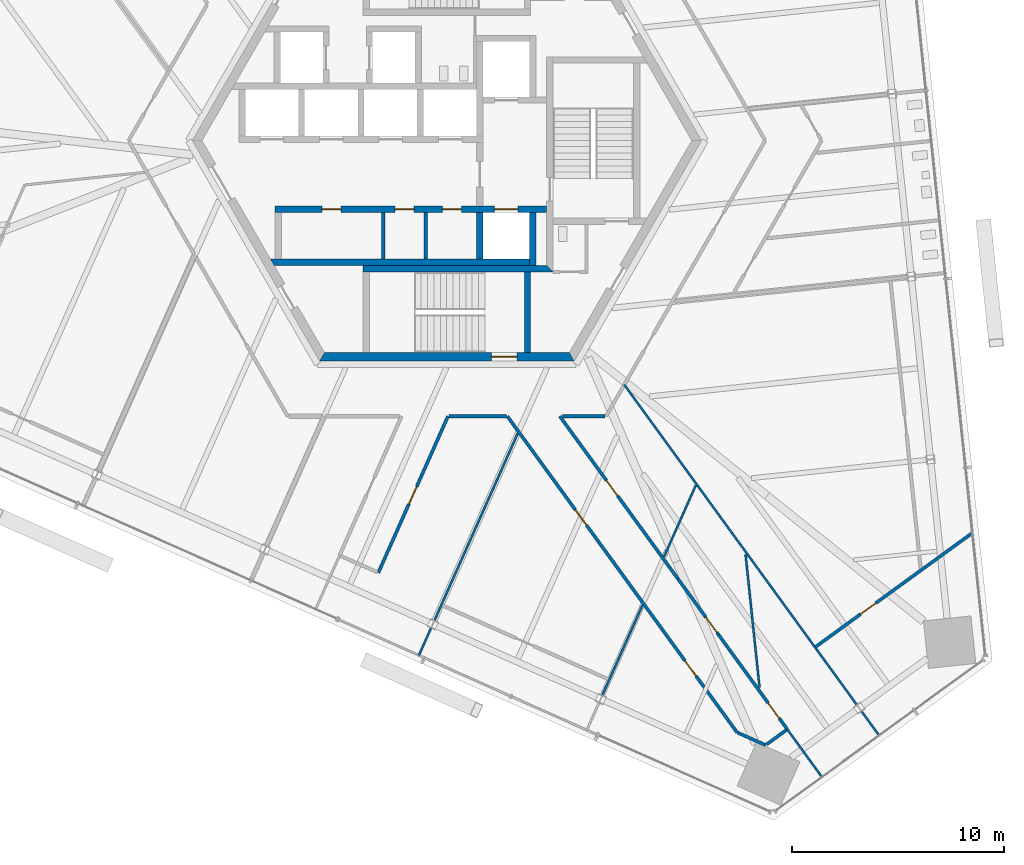
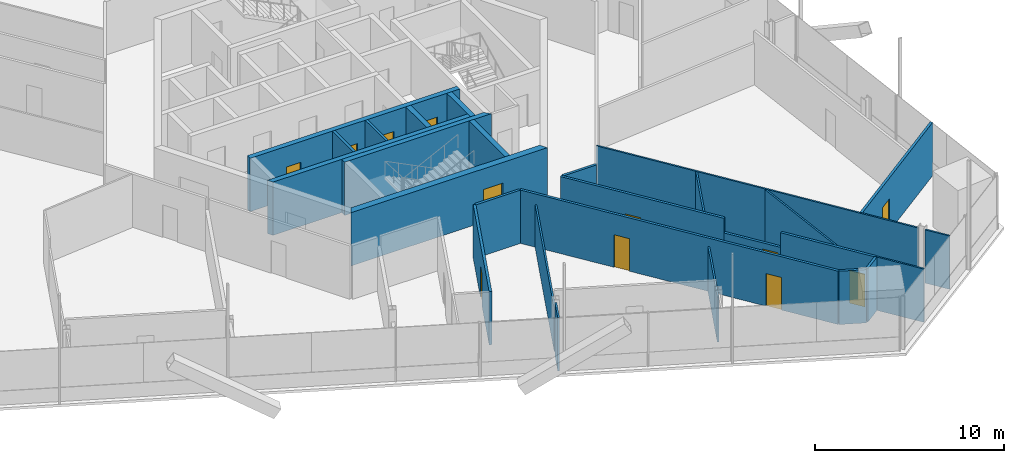
# One storey, part 11 of 21: 27 walls, 12 doors, 12 openings.
"""IFC4 building model written with IfcOpenShell, lengths in metres."""

from ifc_helpers import new_model, si_unit, direction, frame, frame_2d, origin, place, context, subcontext, project, spatial, polyline, rectangle, outline, extrude, source, transform, mapped, material, layer, layer_set, type_object, element, fill, save


model = new_model("IFC4")

# Units and contexts
model_context = context("Model", 3, precision=1e-05, world=origin(), true_north=direction((0.0, 1.0)))
body_context = subcontext(model_context, "Body", "Model", "MODEL_VIEW")
ifc_project = project(units=[si_unit("LENGTHUNIT", "METRE"), si_unit("AREAUNIT", "SQUARE_METRE"), si_unit("VOLUMEUNIT", "CUBIC_METRE"), si_unit("PLANEANGLEUNIT", "RADIAN"), si_unit("MASSUNIT", "GRAM", prefix="KILO")], contexts=[model_context])

# Site, building, storey
site_placement = place(None, origin())
site = spatial("IfcSite", under=ifc_project, at=site_placement, CompositionType="ELEMENT")
building_placement = place(site_placement, origin())
building = spatial("IfcBuilding", under=site, at=building_placement, Name="Triune Harvest Tower", CompositionType="ELEMENT")
storey_placement = place(building_placement, frame((0.0, 0.0, 80.10009765625)))
storey = spatial("IfcBuildingStorey", under=building, at=storey_placement, Name="L19", CompositionType="ELEMENT", Elevation=80.10009765625)

# Walls
ifc_material_1 = material(Name="Gypsum board on steel studs", Category="steel")
ifc_layer_1 = layer(ifc_material_1, 0.10009765625)
ifc_layer_set_1 = layer_set([ifc_layer_1], Name="Gypsum board on steel studs")
wall_type_1 = type_object("IfcWallType", Name="Partition 100 mm", PredefinedType="PARTITIONING", material=ifc_layer_set_1)
wall_1_placement = place(storey_placement, frame((7.323486328125, -26.144775390625, 0.0), z_axis=(0.0, 0.0, 1.0), x_axis=(0.406780377574, 0.913525984535, 0.0)))
element("IfcWall", 1, at=wall_1_placement, inside=storey, type_object=wall_type_1, Name="Partition L19 047", PredefinedType="PARTITIONING", context=body_context, shape_type="SweptSolid", body=[
    extrude(rectangle(XDim=4.657470703125, YDim=0.10009765625, at=frame_2d((2.32861328125, 0.0))), origin(), (0.0, 0.0, 1.0), 2.90380859375),
])
wall_2_placement = place(storey_placement, frame((-0.58984375, -22.62158203125, 0.0), z_axis=(0.0, 0.0, 1.0), x_axis=(0.406748136675, 0.913540340276, 0.0)))
element("IfcWall", 2, at=wall_2_placement, inside=storey, type_object=wall_type_1, Name="Partition L19 050", PredefinedType="PARTITIONING", context=body_context, shape_type="SweptSolid", body=[
    extrude(rectangle(XDim=9.658935546875, YDim=0.10009765625, at=frame_2d((4.82958984375, 0.0))), origin(), (0.0, 0.0, 1.0), 2.756591796875),
])

# Wall, opening, door
ifc_material_2 = material(Name="Concrete 70 MPa", Category="concrete")
ifc_layer_2 = layer(ifc_material_2, 0.39990234375)
ifc_layer_set_2 = layer_set([ifc_layer_2], Name="Concrete 70 MPa")
wall_type_2 = type_object("IfcWallType", Name="Core wall 400", PredefinedType="SHEAR", material=ifc_layer_set_2)
shared_shape_1 = source(origin(), body_context, "Body", "SweptSolid", [
    extrude(outline(polyline([(-0.115478515625, -0.199951171875), (11.884521484375, -0.199951171875), (11.653564453125, 0.199951171875), (0.115478515625, 0.199951171875), (-0.115478515625, -0.199951171875)])), origin(), (0.0, 0.0, 1.0), 3.43994140625),
])
wall_3_placement = place(storey_placement, frame((-5.884521484375, -10.1923828125, 0.0), z_axis=(0.0, 0.0, 1.0), x_axis=(1.0, 0.0, 0.0)))
wall_3 = element("IfcWall", 3, at=wall_3_placement, inside=storey, type_object=wall_type_2, Name="Hexagon 4 wall", PredefinedType="SHEAR", context=body_context, shape_type="MappedRepresentation", body=[
    mapped(shared_shape_1, transform((0.0, 0.0, 0.0), scale=1.0)),
])
opening_1_placement = place(wall_3_placement, frame((7.984619140625, 0.0, 0.0)))
opening_1 = element("IfcOpeningElement", 4, at=opening_1_placement, cuts=wall_3, Name="Opening CD-S2P", PredefinedType="OPENING", context=body_context, shape_type="SweptSolid", body=[
    extrude(rectangle(XDim=1.199951171875, YDim=2.10009765625, at=frame_2d((0.60009765625, 1.050048828125))), frame((0.0, 0.2099609375, 0.0), z_axis=(0.0, -1.0, 0.0), x_axis=(1.0, 0.0, 0.0)), (0.0, 0.0, 1.0), 0.419921875),
])
ifc_material_3 = material(Name="Steel S235", Category="steel")
door_type_1 = type_object("IfcDoorType", Name="Stair door 1200 FD120", OperationType="SINGLE_SWING_LEFT", PredefinedType="DOOR", material=ifc_material_3)
door_1_placement = place(opening_1_placement, frame((1.199951171875, 0.0, 0.0), z_axis=(0.0, 0.0, 1.0), x_axis=(-1.0, 0.0, 0.0)))
door_1 = element("IfcDoor", 5, at=door_1_placement, inside=storey, type_object=door_type_1, Name="Door CD-S2P", OperationType="SINGLE_SWING_RIGHT", OverallHeight=2.10009765625, OverallWidth=1.199951171875, PredefinedType="DOOR", context=body_context, shape_type="SweptSolid", body=[
    extrude(rectangle(XDim=1.199951171875, YDim=2.10009765625, at=frame_2d((0.60009765625, 1.050048828125))), frame((0.0, 0.02490234375, 0.0), z_axis=(0.0, -1.0, 0.0), x_axis=(1.0, 0.0, 0.0)), (0.0, 0.0, 1.0), 0.050048828125),
])
fill(opening_1, door_1)

# Wall
ifc_material_4 = material(Name="Concrete 70 MPa", Category="concrete")
ifc_layer_3 = layer(ifc_material_4, 0.300048828125)
ifc_layer_set_3 = layer_set([ifc_layer_3], Name="Concrete 70 MPa")
wall_type_3 = type_object("IfcWallType", Name="Core wall 300", PredefinedType="SHEAR", material=ifc_layer_set_3)
shared_shape_2 = source(origin(), body_context, "Body", "SweptSolid", [
    extrude(rectangle(XDim=2.5, YDim=0.300048828125, at=frame_2d((1.25, 0.0))), origin(), (0.0, 0.0, 1.0), 3.43994140625),
])
wall_4_placement = place(storey_placement, frame((4.050048828125, -5.889892578125, 0.0), z_axis=(0.0, 0.0, 1.0), x_axis=(0.0, 1.0, 0.0)))
element("IfcWall", 6, at=wall_4_placement, inside=storey, type_object=wall_type_3, Name="Ff2 east wall", PredefinedType="SHEAR", context=body_context, shape_type="MappedRepresentation", body=[
    mapped(shared_shape_2, transform((0.0, 0.0, 0.0), scale=1.0)),
])

# Wall, openings, doors
shared_shape_3 = source(origin(), body_context, "Body", "SweptSolid", [
    extrude(rectangle(XDim=12.800048828125, YDim=0.300048828125, at=frame_2d((6.39990234375, 0.0))), origin(), (0.0, 0.0, 1.0), 3.43994140625),
])
wall_5_placement = place(storey_placement, frame((-8.10009765625, -3.239990234375, 0.0), z_axis=(0.0, 0.0, 1.0), x_axis=(1.0, 0.0, 0.0)))
wall_5 = element("IfcWall", 7, at=wall_5_placement, inside=storey, type_object=wall_type_3, Name="South front wall", PredefinedType="SHEAR", context=body_context, shape_type="MappedRepresentation", body=[
    mapped(shared_shape_3, transform((0.0, 0.0, 0.0), scale=1.0)),
])
opening_2_placement = place(wall_5_placement, frame((2.21240234375, 0.0, 0.0)))
opening_2 = element("IfcOpeningElement", 8, at=opening_2_placement, cuts=wall_5, Name="Opening CD-RS1", PredefinedType="OPENING", context=body_context, shape_type="SweptSolid", body=[
    extrude(rectangle(XDim=0.89990234375, YDim=2.10009765625, at=frame_2d((0.449951171875, 1.050048828125))), frame((0.0, 0.16015625, 0.0), z_axis=(0.0, -1.0, 0.0), x_axis=(1.0, 0.0, 0.0)), (0.0, 0.0, 1.0), 0.320068359375),
])
opening_3_placement = place(wall_5_placement, frame((5.64990234375, 0.0, 0.0)))
opening_3 = element("IfcOpeningElement", 9, at=opening_3_placement, cuts=wall_5, Name="Opening CD-RS2", PredefinedType="OPENING", context=body_context, shape_type="SweptSolid", body=[
    extrude(rectangle(XDim=0.89990234375, YDim=2.10009765625, at=frame_2d((0.449951171875, 1.050048828125))), frame((0.0, 0.16015625, 0.0), z_axis=(0.0, -1.0, 0.0), x_axis=(1.0, 0.0, 0.0)), (0.0, 0.0, 1.0), 0.320068359375),
])
opening_4_placement = place(wall_5_placement, frame((7.887451171875, 0.0, 0.0)))
opening_4 = element("IfcOpeningElement", 10, at=opening_4_placement, cuts=wall_5, Name="Opening CD-RS3", PredefinedType="OPENING", context=body_context, shape_type="SweptSolid", body=[
    extrude(rectangle(XDim=0.89990234375, YDim=2.10009765625, at=frame_2d((0.449951171875, 1.050048828125))), frame((0.0, 0.16015625, 0.0), z_axis=(0.0, -1.0, 0.0), x_axis=(1.0, 0.0, 0.0)), (0.0, 0.0, 1.0), 0.320068359375),
])
opening_5_placement = place(wall_5_placement, frame((10.35009765625, 0.0, 0.0)))
opening_5 = element("IfcOpeningElement", 11, at=opening_5_placement, cuts=wall_5, Name="Opening LD-FF2-19", PredefinedType="OPENING", context=body_context, shape_type="SweptSolid", body=[
    extrude(rectangle(XDim=1.10009765625, YDim=2.10009765625, at=frame_2d((0.550048828125, 1.050048828125))), frame((0.0, 0.16015625, 0.0), z_axis=(0.0, -1.0, 0.0), x_axis=(1.0, 0.0, 0.0)), (0.0, 0.0, 1.0), 0.320068359375),
])
ifc_material_5 = material(Name="Stainless steel AISI 304", Category="steel")
door_type_2 = type_object("IfcDoorType", Name="Landing door 1100 x 2100", OperationType="DOUBLE_DOOR_SLIDING", PredefinedType="DOOR", material=ifc_material_5)
door_2_placement = place(opening_5_placement, origin())
door_2 = element("IfcDoor", 12, at=door_2_placement, inside=storey, type_object=door_type_2, Name="Door LD-FF2-19", OperationType="DOUBLE_DOOR_SLIDING", OverallHeight=2.10009765625, OverallWidth=1.10009765625, PredefinedType="DOOR", context=body_context, shape_type="SweptSolid", body=[
    extrude(rectangle(XDim=1.10009765625, YDim=2.10009765625, at=frame_2d((0.550048828125, 1.050048828125))), frame((0.0, 0.02490234375, 0.0), z_axis=(0.0, -1.0, 0.0), x_axis=(1.0, 0.0, 0.0)), (0.0, 0.0, 1.0), 0.050048828125),
])
fill(opening_5, door_2)
ifc_material_6 = material(Name="Steel S235", Category="steel")
door_type_3 = type_object("IfcDoorType", Name="Riser door 900 FD120", OperationType="SINGLE_SWING_LEFT", PredefinedType="DOOR", material=ifc_material_6)
door_3_placement = place(opening_2_placement, origin())
door_3 = element("IfcDoor", 13, at=door_3_placement, inside=storey, type_object=door_type_3, Name="Door CD-RS1", OperationType="SINGLE_SWING_LEFT", OverallHeight=2.10009765625, OverallWidth=0.89990234375, PredefinedType="DOOR", context=body_context, shape_type="SweptSolid", body=[
    extrude(rectangle(XDim=0.89990234375, YDim=2.10009765625, at=frame_2d((0.449951171875, 1.050048828125))), frame((0.0, 0.02490234375, 0.0), z_axis=(0.0, -1.0, 0.0), x_axis=(1.0, 0.0, 0.0)), (0.0, 0.0, 1.0), 0.050048828125),
])
fill(opening_2, door_3)
door_4_placement = place(opening_3_placement, origin())
door_4 = element("IfcDoor", 14, at=door_4_placement, inside=storey, type_object=door_type_3, Name="Door CD-RS2", OperationType="SINGLE_SWING_LEFT", OverallHeight=2.10009765625, OverallWidth=0.89990234375, PredefinedType="DOOR", context=body_context, shape_type="SweptSolid", body=[
    extrude(rectangle(XDim=0.89990234375, YDim=2.10009765625, at=frame_2d((0.449951171875, 1.050048828125))), frame((0.0, 0.02490234375, 0.0), z_axis=(0.0, -1.0, 0.0), x_axis=(1.0, 0.0, 0.0)), (0.0, 0.0, 1.0), 0.050048828125),
])
fill(opening_3, door_4)
door_5_placement = place(opening_4_placement, origin())
door_5 = element("IfcDoor", 15, at=door_5_placement, inside=storey, type_object=door_type_3, Name="Door CD-RS3", OperationType="SINGLE_SWING_LEFT", OverallHeight=2.10009765625, OverallWidth=0.89990234375, PredefinedType="DOOR", context=body_context, shape_type="SweptSolid", body=[
    extrude(rectangle(XDim=0.89990234375, YDim=2.10009765625, at=frame_2d((0.449951171875, 1.050048828125))), frame((0.0, 0.02490234375, 0.0), z_axis=(0.0, -1.0, 0.0), x_axis=(1.0, 0.0, 0.0)), (0.0, 0.0, 1.0), 0.050048828125),
])
fill(opening_4, door_5)

# Walls
shared_shape_4 = source(origin(), body_context, "Body", "SweptSolid", [
    extrude(outline(polyline([(12.0, -0.14990234375), (-0.039794921875, -0.14990234375), (-0.212890625, 0.14990234375), (12.0, 0.14990234375), (12.0, -0.14990234375)])), origin(), (0.0, 0.0, 1.0), 3.43994140625),
])
wall_6_placement = place(storey_placement, frame((-8.10009765625, -5.739990234375, 0.0), z_axis=(0.0, 0.0, 1.0), x_axis=(1.0, 0.0, 0.0)))
element("IfcWall", 16, at=wall_6_placement, inside=storey, type_object=wall_type_3, Name="South back wall", PredefinedType="SHEAR", context=body_context, shape_type="MappedRepresentation", body=[
    mapped(shared_shape_4, transform((0.0, 0.0, 0.0), scale=1.0)),
])
shared_shape_5 = source(origin(), body_context, "Body", "SweptSolid", [
    extrude(rectangle(XDim=2.2001953125, YDim=0.300048828125, at=frame_2d((1.10009765625, 0.0))), origin(), (0.0, 0.0, 1.0), 3.43994140625),
])
wall_7_placement = place(storey_placement, frame((1.550048828125, -5.590087890625, 0.0), z_axis=(0.0, 0.0, 1.0), x_axis=(0.0, 1.0, 0.0)))
element("IfcWall", 17, at=wall_7_placement, inside=storey, type_object=wall_type_3, Name="Ff2 west wall", PredefinedType="SHEAR", context=body_context, shape_type="MappedRepresentation", body=[
    mapped(shared_shape_5, transform((0.0, 0.0, 0.0), scale=1.0)),
])
shared_shape_6 = source(origin(), body_context, "Body", "SweptSolid", [
    extrude(outline(polyline([(0.0, -0.14990234375), (8.949951171875, -0.14990234375), (8.64990234375, 0.14990234375), (0.0, 0.14990234375), (0.0, -0.14990234375)])), origin(), (0.0, 0.0, 1.0), 3.43994140625),
])
wall_8_placement = place(storey_placement, frame((-3.949951171875, -6.0400390625, 0.0), z_axis=(0.0, 0.0, 1.0), x_axis=(1.0, 0.0, 0.0)))
element("IfcWall", 18, at=wall_8_placement, inside=storey, type_object=wall_type_3, Name="Stair s north wall", PredefinedType="SHEAR", context=body_context, shape_type="MappedRepresentation", body=[
    mapped(shared_shape_6, transform((0.0, 0.0, 0.0), scale=1.0)),
])
shared_shape_7 = source(origin(), body_context, "Body", "SweptSolid", [
    extrude(outline(polyline([(3.800048828125, -0.14990234375), (-0.00439453125, -0.14990234375), (-0.00439453125, 0.14990234375), (3.800048828125, 0.14990234375), (3.800048828125, -0.14990234375)])), origin(), (0.0, 0.0, 1.0), 3.43994140625),
])
wall_9_placement = place(storey_placement, frame((3.800048828125, -9.989990234375, 0.0), z_axis=(0.0, 0.0, 1.0), x_axis=(0.0, 1.0, 0.0)))
element("IfcWall", 19, at=wall_9_placement, inside=storey, type_object=wall_type_3, Name="Stair s east wall", PredefinedType="SHEAR", context=body_context, shape_type="MappedRepresentation", body=[
    mapped(shared_shape_7, transform((0.0, 0.0, 0.0), scale=1.0)),
])
ifc_material_7 = material(Name="Concrete masonry unit", Category="masonry")
ifc_layer_4 = layer(ifc_material_7, 0.14990234375)
ifc_layer_set_4 = layer_set([ifc_layer_4], Name="Concrete masonry unit")
wall_type_4 = type_object("IfcWallType", Name="Block partition 150", PredefinedType="PARTITIONING", material=ifc_layer_set_4)
shared_shape_8 = source(origin(), body_context, "Body", "SweptSolid", [
    extrude(rectangle(XDim=2.2001953125, YDim=0.14990234375, at=frame_2d((1.10009765625, 0.0))), origin(), (0.0, 0.0, 1.0), 3.43994140625),
])
for number, where, z_axis, x_axis, name in (
    (20, (-3.0, -5.590087890625, 0.0), (0.0, 0.0, 1.0), (0.0, 1.0, 0.0), "Row s part 1 wall"),
    (21, (-1.0, -5.590087890625, 0.0), (0.0, 0.0, 1.0), (0.0, 1.0, 0.0), "Row s part 2 wall"),
):
    element("IfcWall", number, at=place(storey_placement, frame(where, z_axis=z_axis, x_axis=x_axis)), inside=storey, type_object=wall_type_4, Name=name, PredefinedType="PARTITIONING", context=body_context, shape_type="MappedRepresentation", body=[
        mapped(shared_shape_8, transform((0.0, 0.0, 0.0), scale=1.0)),
    ])
shared_shape_9 = source(origin(), body_context, "Body", "SweptSolid", [
    extrude(rectangle(XDim=1.41845703125, YDim=0.10009765625, at=frame_2d((0.709228515625, 0.0))), origin(), (0.0, 0.0, 1.0), 3.43994140625),
])
for number, where, z_axis, x_axis, name in (
    (22, (19.536865234375, -26.890380859375, 0.0), (0.0, 0.0, 1.0), (0.587813429905, -0.808996521392, 0.0), "Partition L19 020"),
    (23, (-1.318603515625, -24.2587890625, 0.0), (0.0, 0.0, 1.0), (0.406697305895, 0.913562970669, 0.0), "Partition L19 049"),
):
    element("IfcWall", number, at=place(storey_placement, frame(where, z_axis=z_axis, x_axis=x_axis)), inside=storey, type_object=wall_type_1, Name=name, PredefinedType="PARTITIONING", context=body_context, shape_type="MappedRepresentation", body=[
        mapped(shared_shape_9, transform((0.0, 0.0, 0.0), scale=1.0)),
    ])
shared_shape_10 = source(origin(), body_context, "Body", "SweptSolid", [
    extrude(rectangle(XDim=6.312255859375, YDim=0.10009765625, at=frame_2d((3.15625, 0.0))), origin(), (0.0, 0.0, 1.0), 3.43994140625),
])
wall_10_placement = place(storey_placement, frame((14.07421875, -19.4990234375, 0.0), z_axis=(0.0, 0.0, 1.0), x_axis=(0.104507606419, -0.99452408729, 0.0)))
element("IfcWall", 24, at=wall_10_placement, inside=storey, type_object=wall_type_1, Name="Partition L19 001", PredefinedType="PARTITIONING", context=body_context, shape_type="MappedRepresentation", body=[
    mapped(shared_shape_10, transform((0.0, 0.0, 0.0), scale=1.0)),
])
ifc_material_8 = material(Name="Gypsum board on steel studs", Category="steel")
ifc_layer_5 = layer(ifc_material_8, 0.14990234375)
ifc_layer_set_5 = layer_set([ifc_layer_5], Name="Gypsum board on steel studs")
wall_type_5 = type_object("IfcWallType", Name="Fire Partition 150 mm", PredefinedType="PARTITIONING", material=ifc_layer_set_5)
shared_shape_11 = source(origin(), body_context, "Body", "SweptSolid", [
    extrude(rectangle(XDim=2.00927734375, YDim=0.14990234375, at=frame_2d((1.004638671875, 0.0))), origin(), (0.0, 0.0, 1.0), 3.43994140625),
])
wall_11_placement = place(storey_placement, frame((5.44189453125, -12.9921875, 0.0), z_axis=(0.0, 0.0, 1.0), x_axis=(1.0, 0.0, 0.0)))
element("IfcWall", 25, at=wall_11_placement, inside=storey, type_object=wall_type_5, Name="Partition L19 029", PredefinedType="PARTITIONING", context=body_context, shape_type="MappedRepresentation", body=[
    mapped(shared_shape_11, transform((0.0, 0.0, 0.0), scale=1.0)),
])

# Wall, opening, door
shared_shape_12 = source(origin(), body_context, "Body", "SweptSolid", [
    extrude(rectangle(XDim=8.0693359375, YDim=0.14990234375, at=frame_2d((4.03466796875, 0.0))), origin(), (0.0, 0.0, 1.0), 3.43994140625),
])
wall_12_placement = place(storey_placement, frame((-3.23095703125, -20.364013671875, 0.0), z_axis=(0.0, 0.0, 1.0), x_axis=(0.406719469234, 0.913553103736, 0.0)))
wall_12 = element("IfcWall", 26, at=wall_12_placement, inside=storey, type_object=wall_type_5, Name="Partition L19 051", PredefinedType="PARTITIONING", context=body_context, shape_type="MappedRepresentation", body=[
    mapped(shared_shape_12, transform((0.0, 0.0, 0.0), scale=1.0)),
])
opening_6_placement = place(wall_12_placement, frame((3.549072265625, 0.0, 0.0)))
opening_6 = element("IfcOpeningElement", 27, at=opening_6_placement, cuts=wall_12, Name="Opening L19-019", PredefinedType="OPENING", context=body_context, shape_type="SweptSolid", body=[
    extrude(rectangle(XDim=0.89990234375, YDim=2.10009765625, at=frame_2d((0.449951171875, 1.050048828125))), frame((0.0, 0.0849609375, 0.0), z_axis=(0.0, -1.0, 0.0), x_axis=(1.0, 0.0, 0.0)), (0.0, 0.0, 1.0), 0.169921875),
])
ifc_material_9 = material(Name="Timber and steel door set", Category="steel")
door_type_4 = type_object("IfcDoorType", Name="Single leaf door FD30 right hand 900 x 2100", OperationType="SINGLE_SWING_RIGHT", PredefinedType="DOOR", material=ifc_material_9)
door_6_placement = place(opening_6_placement, origin())
door_6 = element("IfcDoor", 28, at=door_6_placement, inside=storey, type_object=door_type_4, Name="Door L19-019 Meeting Room 19.19", OperationType="SINGLE_SWING_RIGHT", OverallHeight=2.10009765625, OverallWidth=0.89990234375, PredefinedType="DOOR", context=body_context, shape_type="SweptSolid", body=[
    extrude(rectangle(XDim=0.89990234375, YDim=2.10009765625, at=frame_2d((0.449951171875, 1.050048828125))), frame((0.0, 0.02490234375, 0.0), z_axis=(0.0, -1.0, 0.0), x_axis=(1.0, 0.0, 0.0)), (0.0, 0.0, 1.0), 0.050048828125),
])
fill(opening_6, door_6)

# Wall, openings, doors
shared_shape_13 = source(origin(), body_context, "Body", "SweptSolid", [
    extrude(rectangle(XDim=18.41552734375, YDim=0.14990234375, at=frame_2d((9.207763671875, 0.0))), origin(), (0.0, 0.0, 1.0), 3.43994140625),
])
wall_13_placement = place(storey_placement, frame((2.849853515625, -12.9921875, 0.0), z_axis=(0.0, 0.0, 1.0), x_axis=(0.587780642762, -0.809020343375, 0.0)))
wall_13 = element("IfcWall", 29, at=wall_13_placement, inside=storey, type_object=wall_type_5, Name="Partition L19 012", PredefinedType="PARTITIONING", context=body_context, shape_type="MappedRepresentation", body=[
    mapped(shared_shape_13, transform((0.0, 0.0, 0.0), scale=1.0)),
])
opening_7_placement = place(wall_13_placement, frame((5.444091796875, 0.0, 0.0)))
opening_7 = element("IfcOpeningElement", 30, at=opening_7_placement, cuts=wall_13, Name="Opening L19-020", PredefinedType="OPENING", context=body_context, shape_type="SweptSolid", body=[
    extrude(rectangle(XDim=0.89990234375, YDim=2.10009765625, at=frame_2d((0.449951171875, 1.050048828125))), frame((0.0, 0.0849609375, 0.0), z_axis=(0.0, -1.0, 0.0), x_axis=(1.0, 0.0, 0.0)), (0.0, 0.0, 1.0), 0.169921875),
])
opening_8_placement = place(wall_13_placement, frame((14.24658203125, 0.0, 0.0)))
opening_8 = element("IfcOpeningElement", 31, at=opening_8_placement, cuts=wall_13, Name="Opening L19-023", PredefinedType="OPENING", context=body_context, shape_type="SweptSolid", body=[
    extrude(rectangle(XDim=0.89990234375, YDim=2.10009765625, at=frame_2d((0.449951171875, 1.050048828125))), frame((0.0, 0.0849609375, 0.0), z_axis=(0.0, -1.0, 0.0), x_axis=(1.0, 0.0, 0.0)), (0.0, 0.0, 1.0), 0.169921875),
])
ifc_material_10 = material(Name="Timber and steel door set", Category="steel")
door_type_5 = type_object("IfcDoorType", Name="Single leaf door FD30 left hand 900 x 2100", OperationType="SINGLE_SWING_LEFT", PredefinedType="DOOR", material=ifc_material_10)
door_7_placement = place(opening_8_placement, origin())
door_7 = element("IfcDoor", 32, at=door_7_placement, inside=storey, type_object=door_type_5, Name="Door L19-023 Meeting Room 19.23", OperationType="SINGLE_SWING_LEFT", OverallHeight=2.10009765625, OverallWidth=0.89990234375, PredefinedType="DOOR", context=body_context, shape_type="SweptSolid", body=[
    extrude(rectangle(XDim=0.89990234375, YDim=2.10009765625, at=frame_2d((0.449951171875, 1.050048828125))), frame((0.0, 0.02490234375, 0.0), z_axis=(0.0, -1.0, 0.0), x_axis=(1.0, 0.0, 0.0)), (0.0, 0.0, 1.0), 0.050048828125),
])
fill(opening_8, door_7)
door_8_placement = place(opening_7_placement, origin())
door_8 = element("IfcDoor", 33, at=door_8_placement, inside=storey, type_object=door_type_4, Name="Door L19-020 Tasting Room 19.20", OperationType="SINGLE_SWING_RIGHT", OverallHeight=2.10009765625, OverallWidth=0.89990234375, PredefinedType="DOOR", context=body_context, shape_type="SweptSolid", body=[
    extrude(rectangle(XDim=0.89990234375, YDim=2.10009765625, at=frame_2d((0.449951171875, 1.050048828125))), frame((0.0, 0.02490234375, 0.0), z_axis=(0.0, -1.0, 0.0), x_axis=(1.0, 0.0, 0.0)), (0.0, 0.0, 1.0), 0.050048828125),
])
fill(opening_7, door_8)

# Wall, opening, door
shared_shape_14 = source(origin(), body_context, "Body", "SweptSolid", [
    extrude(rectangle(XDim=9.4619140625, YDim=0.14990234375, at=frame_2d((4.73095703125, 0.0))), origin(), (0.0, 0.0, 1.0), 3.43994140625),
])
wall_14_placement = place(storey_placement, frame((5.322021484375, -12.9921875, 0.0), z_axis=(0.0, 0.0, 1.0), x_axis=(0.587785008714, -0.809017171345, 0.0)))
wall_14 = element("IfcWall", 34, at=wall_14_placement, inside=storey, type_object=wall_type_5, Name="Partition L19 015", PredefinedType="PARTITIONING", context=body_context, shape_type="MappedRepresentation", body=[
    mapped(shared_shape_14, transform((0.0, 0.0, 0.0), scale=1.0)),
])
opening_9_placement = place(wall_14_placement, frame((3.738525390625, 0.0, 0.0)))
opening_9 = element("IfcOpeningElement", 35, at=opening_9_placement, cuts=wall_14, Name="Opening L19-021", PredefinedType="OPENING", context=body_context, shape_type="SweptSolid", body=[
    extrude(rectangle(XDim=0.89990234375, YDim=2.10009765625, at=frame_2d((0.449951171875, 1.050048828125))), frame((0.0, 0.0849609375, 0.0), z_axis=(0.0, -1.0, 0.0), x_axis=(1.0, 0.0, 0.0)), (0.0, 0.0, 1.0), 0.169921875),
])
door_9_placement = place(opening_9_placement, origin())
door_9 = element("IfcDoor", 36, at=door_9_placement, inside=storey, type_object=door_type_5, Name="Door L19-021 Tasting Room 19.21", OperationType="SINGLE_SWING_LEFT", OverallHeight=2.10009765625, OverallWidth=0.89990234375, PredefinedType="DOOR", context=body_context, shape_type="SweptSolid", body=[
    extrude(rectangle(XDim=0.89990234375, YDim=2.10009765625, at=frame_2d((0.449951171875, 1.050048828125))), frame((0.0, 0.02490234375, 0.0), z_axis=(0.0, -1.0, 0.0), x_axis=(1.0, 0.0, 0.0)), (0.0, 0.0, 1.0), 0.050048828125),
])
fill(opening_9, door_9)

shared_shape_15 = source(origin(), body_context, "Body", "SweptSolid", [
    extrude(rectangle(XDim=3.28662109375, YDim=0.14990234375, at=frame_2d((1.643310546875, 0.0))), origin(), (0.0, 0.0, 1.0), 2.49755859375),
])
wall_15_placement = place(storey_placement, frame((10.883544921875, -20.64697265625, 0.0), z_axis=(0.0, 0.0, 1.0), x_axis=(0.587747586652, -0.809044358725, 0.0)))
wall_15 = element("IfcWall", 37, at=wall_15_placement, inside=storey, type_object=wall_type_5, Name="Partition L19 015a", PredefinedType="PARTITIONING", context=body_context, shape_type="MappedRepresentation", body=[
    mapped(shared_shape_15, transform((0.0, 0.0, 0.0), scale=1.0)),
])
opening_10_placement = place(wall_15_placement, frame((2.236572265625, 0.0, 0.0)))
opening_10 = element("IfcOpeningElement", 38, at=opening_10_placement, cuts=wall_15, Name="Opening L19-024", PredefinedType="OPENING", context=body_context, shape_type="SweptSolid", body=[
    extrude(rectangle(XDim=0.89990234375, YDim=2.10009765625, at=frame_2d((0.449951171875, 1.050048828125))), frame((0.0, 0.0849609375, 0.0), z_axis=(0.0, -1.0, 0.0), x_axis=(1.0, 0.0, 0.0)), (0.0, 0.0, 1.0), 0.169921875),
])
door_10_placement = place(opening_10_placement, origin())
door_10 = element("IfcDoor", 39, at=door_10_placement, inside=storey, type_object=door_type_4, Name="Door L19-024 Meeting Room 19.24", OperationType="SINGLE_SWING_RIGHT", OverallHeight=2.10009765625, OverallWidth=0.89990234375, PredefinedType="DOOR", context=body_context, shape_type="SweptSolid", body=[
    extrude(rectangle(XDim=0.89990234375, YDim=2.10009765625, at=frame_2d((0.449951171875, 1.050048828125))), frame((0.0, 0.02490234375, 0.0), z_axis=(0.0, -1.0, 0.0), x_axis=(1.0, 0.0, 0.0)), (0.0, 0.0, 1.0), 0.050048828125),
])
fill(opening_10, door_10)

shared_shape_16 = source(origin(), body_context, "Body", "SweptSolid", [
    extrude(rectangle(XDim=5.489013671875, YDim=0.14990234375, at=frame_2d((2.74462890625, 0.0))), origin(), (0.0, 0.0, 1.0), 3.43994140625),
])
wall_16_placement = place(storey_placement, frame((12.815185546875, -23.305908203125, 0.0), z_axis=(0.0, 0.0, 1.0), x_axis=(0.587811974439, -0.808997578925, 0.0)))
wall_16 = element("IfcWall", 40, at=wall_16_placement, inside=storey, type_object=wall_type_5, Name="Partition L19 015b", PredefinedType="PARTITIONING", context=body_context, shape_type="MappedRepresentation", body=[
    mapped(shared_shape_16, transform((0.0, 0.0, 0.0), scale=1.0)),
])
opening_11_placement = place(wall_16_placement, frame((3.94921875, 0.0, 0.0)))
opening_11 = element("IfcOpeningElement", 41, at=opening_11_placement, cuts=wall_16, Name="Opening L19-025", PredefinedType="OPENING", context=body_context, shape_type="SweptSolid", body=[
    extrude(rectangle(XDim=0.89990234375, YDim=2.10009765625, at=frame_2d((0.449951171875, 1.050048828125))), frame((0.0, 0.0849609375, 0.0), z_axis=(0.0, -1.0, 0.0), x_axis=(1.0, 0.0, 0.0)), (0.0, 0.0, 1.0), 0.169921875),
])
door_11_placement = place(opening_11_placement, origin())
door_11 = element("IfcDoor", 42, at=door_11_placement, inside=storey, type_object=door_type_4, Name="Door L19-025 Tasting Room 19.25", OperationType="SINGLE_SWING_RIGHT", OverallHeight=2.10009765625, OverallWidth=0.89990234375, PredefinedType="DOOR", context=body_context, shape_type="SweptSolid", body=[
    extrude(rectangle(XDim=0.89990234375, YDim=2.10009765625, at=frame_2d((0.449951171875, 1.050048828125))), frame((0.0, 0.02490234375, 0.0), z_axis=(0.0, -1.0, 0.0), x_axis=(1.0, 0.0, 0.0)), (0.0, 0.0, 1.0), 0.050048828125),
])
fill(opening_11, door_11)

# Walls
shared_shape_17 = source(origin(), body_context, "Body", "SweptSolid", [
    extrude(rectangle(XDim=2.780029296875, YDim=0.10009765625, at=frame_2d((1.39013671875, 0.0))), origin(), (0.0, 0.0, 1.0), 3.43994140625),
])
wall_17_placement = place(storey_placement, frame((16.041748046875, -27.74658203125, 0.0), z_axis=(0.0, 0.0, 1.0), x_axis=(0.587790438819, -0.809013226117, 0.0)))
element("IfcWall", 43, at=wall_17_placement, inside=storey, type_object=wall_type_1, Name="Partition L19 016", PredefinedType="PARTITIONING", context=body_context, shape_type="MappedRepresentation", body=[
    mapped(shared_shape_17, transform((0.0, 0.0, 0.0), scale=1.0)),
])
shared_shape_18 = source(origin(), body_context, "Body", "SweptSolid", [
    extrude(rectangle(XDim=18.642822265625, YDim=0.10009765625, at=frame_2d((9.3212890625, 0.0))), origin(), (0.0, 0.0, 1.0), 3.43994140625),
])
wall_18_placement = place(storey_placement, frame((8.359375, -11.505615234375, 0.0), z_axis=(0.0, 0.0, 1.0), x_axis=(0.587773729959, -0.809025365715, 0.0)))
element("IfcWall", 44, at=wall_18_placement, inside=storey, type_object=wall_type_1, Name="Partition L19 019", PredefinedType="PARTITIONING", context=body_context, shape_type="MappedRepresentation", body=[
    mapped(shared_shape_18, transform((0.0, 0.0, 0.0), scale=1.0)),
])
shared_shape_19 = source(origin(), body_context, "Body", "SweptSolid", [
    extrude(rectangle(XDim=1.452392578125, YDim=0.14990234375, at=frame_2d((0.72607421875, 0.0))), origin(), (0.0, 0.0, 1.0), 3.43994140625),
])
wall_19_placement = place(storey_placement, frame((13.692626953125, -27.89892578125, 0.0), z_axis=(0.0, 0.0, 1.0), x_axis=(0.913506267732, -0.406824653646, 0.0)))
element("IfcWall", 45, at=wall_19_placement, inside=storey, type_object=wall_type_5, Name="Partition L19 024", PredefinedType="PARTITIONING", context=body_context, shape_type="MappedRepresentation", body=[
    mapped(shared_shape_19, transform((0.0, 0.0, 0.0), scale=1.0)),
])
shared_shape_20 = source(origin(), body_context, "Body", "SweptSolid", [
    extrude(rectangle(XDim=2.708740234375, YDim=0.14990234375, at=frame_2d((1.3544921875, 0.0))), origin(), (0.0, 0.0, 1.0), 3.43994140625),
])
wall_20_placement = place(storey_placement, frame((0.10107421875, -12.9921875, 0.0), z_axis=(0.0, 0.0, 1.0), x_axis=(1.0, 0.0, 0.0)))
element("IfcWall", 46, at=wall_20_placement, inside=storey, type_object=wall_type_5, Name="Partition L19 028", PredefinedType="PARTITIONING", context=body_context, shape_type="MappedRepresentation", body=[
    mapped(shared_shape_20, transform((0.0, 0.0, 0.0), scale=1.0)),
])
shared_shape_21 = source(origin(), body_context, "Body", "SweptSolid", [
    extrude(rectangle(XDim=1.1640625, YDim=0.14990234375, at=frame_2d((0.58203125, 0.0))), origin(), (0.0, 0.0, 1.0), 3.43994140625),
])
wall_21_placement = place(storey_placement, frame((15.0595703125, -28.460205078125, 0.0), z_axis=(0.0, 0.0, 1.0), x_axis=(0.808944633897, 0.587884835057, 0.0)))
element("IfcWall", 47, at=wall_21_placement, inside=storey, type_object=wall_type_5, Name="Partition L19 038", PredefinedType="PARTITIONING", context=body_context, shape_type="MappedRepresentation", body=[
    mapped(shared_shape_21, transform((0.0, 0.0, 0.0), scale=1.0)),
])

# Wall, opening, door
shared_shape_22 = source(origin(), body_context, "Body", "SweptSolid", [
    extrude(rectangle(XDim=9.13916015625, YDim=0.14990234375, at=frame_2d((4.569580078125, 0.0))), origin(), (0.0, 0.0, 1.0), 3.43994140625),
])
wall_22_placement = place(storey_placement, frame((17.372314453125, -23.8603515625, 0.0), z_axis=(0.0, 0.0, 1.0), x_axis=(0.809021319249, 0.587779299568, 0.0)))
wall_22 = element("IfcWall", 48, at=wall_22_placement, inside=storey, type_object=wall_type_5, Name="Partition L19 039", PredefinedType="PARTITIONING", context=body_context, shape_type="MappedRepresentation", body=[
    mapped(shared_shape_22, transform((0.0, 0.0, 0.0), scale=1.0)),
])
opening_12_placement = place(wall_22_placement, frame((2.6201171875, 0.0, 0.0)))
opening_12 = element("IfcOpeningElement", 49, at=opening_12_placement, cuts=wall_22, Name="Opening L19-002", PredefinedType="OPENING", context=body_context, shape_type="SweptSolid", body=[
    extrude(rectangle(XDim=0.89990234375, YDim=2.10009765625, at=frame_2d((0.449951171875, 1.050048828125))), frame((0.0, 0.0849609375, 0.0), z_axis=(0.0, -1.0, 0.0), x_axis=(1.0, 0.0, 0.0)), (0.0, 0.0, 1.0), 0.169921875),
])
door_12_placement = place(opening_12_placement, origin())
door_12 = element("IfcDoor", 50, at=door_12_placement, inside=storey, type_object=door_type_4, Name="Door L19-002 Dry Store Room 19.02", OperationType="SINGLE_SWING_RIGHT", OverallHeight=2.10009765625, OverallWidth=0.89990234375, PredefinedType="DOOR", context=body_context, shape_type="SweptSolid", body=[
    extrude(rectangle(XDim=0.89990234375, YDim=2.10009765625, at=frame_2d((0.449951171875, 1.050048828125))), frame((0.0, 0.02490234375, 0.0), z_axis=(0.0, -1.0, 0.0), x_axis=(1.0, 0.0, 0.0)), (0.0, 0.0, 1.0), 0.050048828125),
])
fill(opening_12, door_12)

# Wall
shared_shape_23 = source(origin(), body_context, "Body", "SweptSolid", [
    extrude(rectangle(XDim=3.686279296875, YDim=0.10009765625, at=frame_2d((1.84326171875, 0.0))), origin(), (0.0, 0.0, 1.0), 3.43994140625),
])
wall_23_placement = place(storey_placement, frame((10.230712890625, -19.615478515625, 0.0), z_axis=(0.0, 0.0, 1.0), x_axis=(0.406709864392, 0.913557379811, 0.0)))
element("IfcWall", 51, at=wall_23_placement, inside=storey, type_object=wall_type_1, Name="Partition L19 048", PredefinedType="PARTITIONING", context=body_context, shape_type="MappedRepresentation", body=[
    mapped(shared_shape_23, transform((0.0, 0.0, 0.0), scale=1.0)),
])

save(model, "model.ifc")
